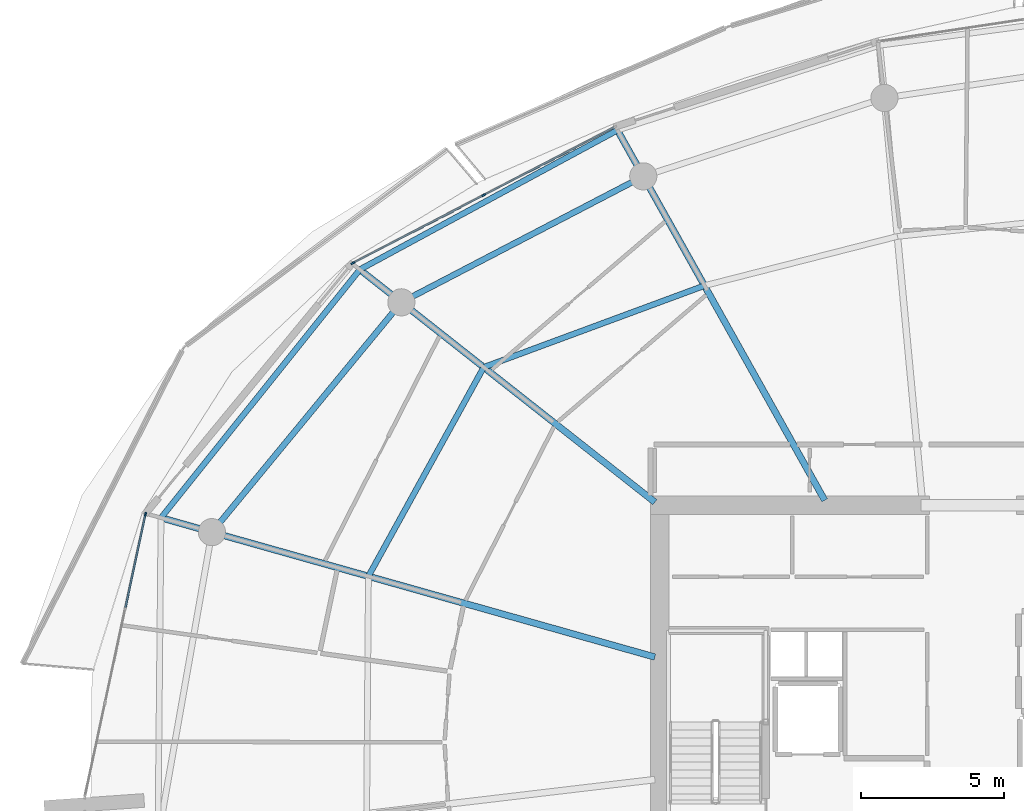
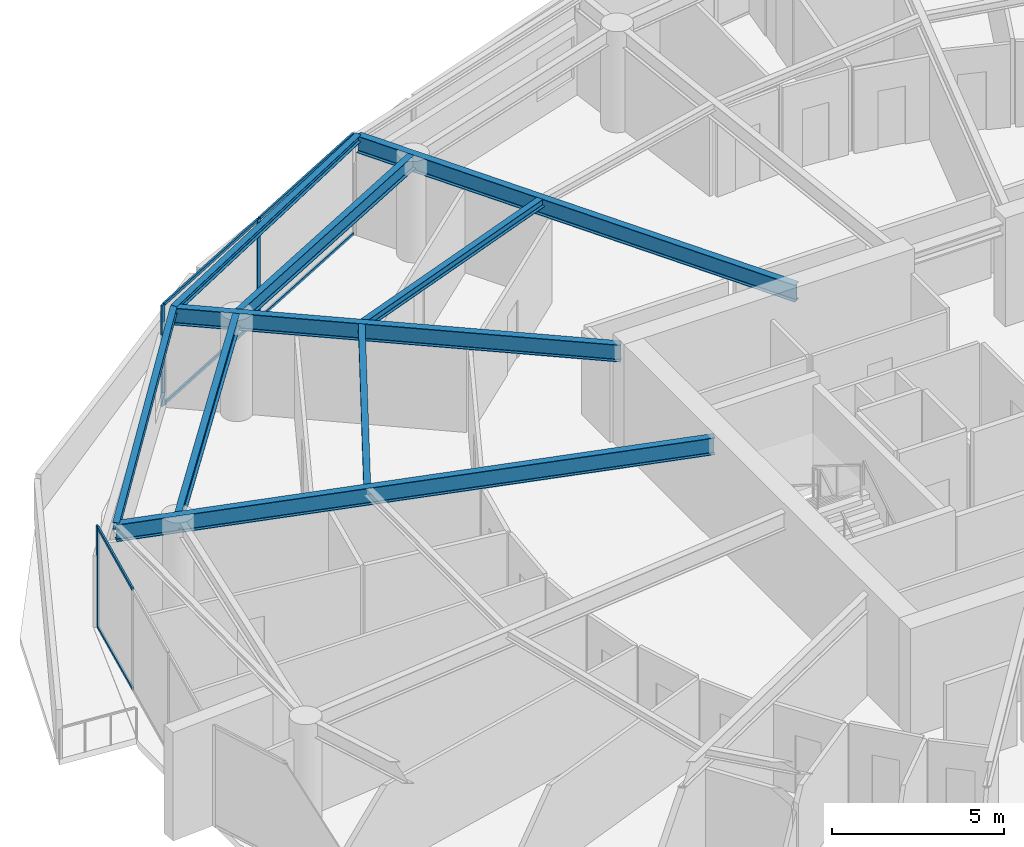
# One storey, part 11 of 30: 9 beams, 9 members, 2 elements without a shape of their own.
"""IFC4 building model written with IfcOpenShell, lengths in metres."""

from ifc_helpers import new_model, si_unit, direction, frame, origin, origin_2d, place, context, subcontext, project, spatial, rectangle, i_section, extrude, material, layer, layer_set, material_profile, profile_set, type_object, element, aggregate, save


model = new_model("IFC4")

# Units and contexts
model_context = context("Model", 3, precision=1e-05, world=origin(), true_north=direction((0.0, 1.0)))
body_context = subcontext(model_context, "Body", "Model", "MODEL_VIEW")
ifc_project = project(units=[si_unit("LENGTHUNIT", "METRE"), si_unit("AREAUNIT", "SQUARE_METRE"), si_unit("VOLUMEUNIT", "CUBIC_METRE"), si_unit("PLANEANGLEUNIT", "RADIAN"), si_unit("MASSUNIT", "GRAM", prefix="KILO")], contexts=[model_context])

# Site, building, storey
site_placement = place(None, origin())
site = spatial("IfcSite", under=ifc_project, at=site_placement, CompositionType="ELEMENT")
building_placement = place(site_placement, origin())
building = spatial("IfcBuilding", under=site, at=building_placement, Name="Kazma Halo Residences", CompositionType="ELEMENT")
storey_placement = place(building_placement, frame((0.0, 0.0, 255.949951171875)))
storey = spatial("IfcBuildingStorey", under=building, at=storey_placement, Name="L64", CompositionType="ELEMENT", Elevation=255.949951171875)

# Beams
ifc_material_1 = material(Name="Steel S355", Category="steel")
ifc_material_profile_1 = material_profile(ifc_material_1, i_section(OverallWidth=0.201904296875, OverallDepth=0.2470703125, WebThickness=0.00732421875, FlangeThickness=0.010986328125, FilletRadius=0.011962890625, at=origin_2d()), Name="W250x49.1")
ifc_profile_set_1 = profile_set([ifc_material_profile_1], Name="Steel S355")
beam_type_1 = type_object("IfcBeamType", Name="BM-BAL-CANT", PredefinedType="BEAM", material=ifc_profile_set_1)
beam_1_placement = place(storey_placement, frame((35.990478515625, 63.444580078125, 3.466552734375), z_axis=(-0.879517282036, -0.475866946321, 0.0), x_axis=(0.475866946321, -0.879517282036, 0.0)))
element("IfcBeam", 1, at=beam_1_placement, inside=storey, type_object=beam_type_1, Name="L64 wave-balcony tie beam 05", PredefinedType="BEAM", context=body_context, shape_type="SweptSolid", body=[
    extrude(i_section(OverallWidth=0.201904296875, OverallDepth=0.2470703125, WebThickness=0.00732421875, FlangeThickness=0.010986328125, FilletRadius=0.011962890625, at=origin_2d()), origin(), (0.0, 0.0, 1.0), 10.243408203125),
])
beam_2_placement = place(storey_placement, frame((26.981201171875, 58.570068359375, 3.466552734375), z_axis=(-0.625117912406, -0.780530329705, 0.0), x_axis=(0.780530329705, -0.625117912406, 0.0)))
element("IfcBeam", 2, at=beam_2_placement, inside=storey, type_object=beam_type_1, Name="L64 wave-balcony tie beam 06", PredefinedType="BEAM", context=body_context, shape_type="SweptSolid", body=[
    extrude(i_section(OverallWidth=0.201904296875, OverallDepth=0.2470703125, WebThickness=0.00732421875, FlangeThickness=0.010986328125, FilletRadius=0.011962890625, at=origin_2d()), origin(), (0.0, 0.0, 1.0), 11.1220703125),
])
ifc_material_profile_2 = material_profile(ifc_material_1, i_section(OverallWidth=0.22802734375, OverallDepth=0.60791015625, WebThickness=0.01123046875, FlangeThickness=0.017333984375, FilletRadius=0.01806640625, at=origin_2d()), Name="W610x113")
ifc_profile_set_2 = profile_set([ifc_material_profile_2], Name="Steel S355")
beam_type_2 = type_object("IfcBeamType", Name="BM-RAD-W610", PredefinedType="BEAM", material=ifc_profile_set_2)
beam_3_placement = place(storey_placement, frame((43.23974609375, 50.5, 3.2861328125), z_axis=(-0.488618902548, 0.872497316943, 0.0), x_axis=(-0.872497316943, -0.488618902548, 0.0)))
element("IfcBeam", 3, at=beam_3_placement, inside=storey, type_object=beam_type_2, Name="L64 radial floor beam 05", PredefinedType="BEAM", context=body_context, shape_type="SweptSolid", body=[
    extrude(i_section(OverallWidth=0.22802734375, OverallDepth=0.60791015625, WebThickness=0.01123046875, FlangeThickness=0.017333984375, FilletRadius=0.01806640625, at=origin_2d()), origin(), (0.0, 0.0, 1.0), 14.836181640625),
])
beam_4_placement = place(storey_placement, frame((37.300048828125, 50.435302734375, 3.2861328125), z_axis=(-0.785315374811, 0.61909592317, 0.0), x_axis=(-0.61909592317, -0.785315374811, 0.0)))
element("IfcBeam", 4, at=beam_4_placement, inside=storey, type_object=beam_type_2, Name="L64 radial floor beam 06", PredefinedType="BEAM", context=body_context, shape_type="SweptSolid", body=[
    extrude(i_section(OverallWidth=0.22802734375, OverallDepth=0.60791015625, WebThickness=0.01123046875, FlangeThickness=0.017333984375, FilletRadius=0.01806640625, at=origin_2d()), origin(), (0.0, 0.0, 1.0), 13.1396484375),
])
beam_5_placement = place(storey_placement, frame((37.300048828125, 45.017578125, 3.2861328125), z_axis=(-0.962451225349, 0.271454671766, 0.0), x_axis=(-0.271454671766, -0.962451225349, 0.0)))
element("IfcBeam", 5, at=beam_5_placement, inside=storey, type_object=beam_type_2, Name="L64 radial floor beam 07", PredefinedType="BEAM", context=body_context, shape_type="SweptSolid", body=[
    extrude(i_section(OverallWidth=0.22802734375, OverallDepth=0.60791015625, WebThickness=0.01123046875, FlangeThickness=0.017333984375, FilletRadius=0.01806640625, at=origin_2d()), origin(), (0.0, 0.0, 1.0), 17.9453125),
])
ifc_material_profile_3 = material_profile(ifc_material_1, i_section(OverallWidth=0.202880859375, OverallDepth=0.302978515625, WebThickness=0.007568359375, FlangeThickness=0.01318359375, FilletRadius=0.013916015625, at=origin_2d()), Name="W310x60")
ifc_profile_set_3 = profile_set([ifc_material_profile_3], Name="Steel S355")
beam_type_3 = type_object("IfcBeamType", Name="BM-SEC-W310A", PredefinedType="JOIST", material=ifc_profile_set_3)
beam_6_placement = place(storey_placement, frame((39.035400390625, 58.0078125, 3.4384765625), z_axis=(-0.937943961726, -0.346786857683, 0.0), x_axis=(0.346786857683, -0.937943961726, 0.0)))
element("IfcBeam", 6, at=beam_6_placement, inside=storey, type_object=beam_type_3, Name="L64 circumferential floor joist 05", PredefinedType="JOIST", context=body_context, shape_type="SweptSolid", body=[
    extrude(i_section(OverallWidth=0.202880859375, OverallDepth=0.302978515625, WebThickness=0.007568359375, FlangeThickness=0.01318359375, FilletRadius=0.013916015625, at=origin_2d()), origin(), (0.0, 0.0, 1.0), 8.231201171875),
])
beam_7_placement = place(storey_placement, frame((31.31494140625, 55.1533203125, 3.4384765625), z_axis=(-0.483003900912, -0.875618199733, 0.0), x_axis=(0.875618199733, -0.483003900912, 0.0)))
element("IfcBeam", 7, at=beam_7_placement, inside=storey, type_object=beam_type_3, Name="L64 circumferential floor joist 06", PredefinedType="JOIST", context=body_context, shape_type="SweptSolid", body=[
    extrude(i_section(OverallWidth=0.202880859375, OverallDepth=0.302978515625, WebThickness=0.007568359375, FlangeThickness=0.01318359375, FilletRadius=0.013916015625, at=origin_2d()), origin(), (0.0, 0.0, 1.0), 8.3486328125),
])
ifc_material_profile_4 = material_profile(ifc_material_1, i_section(OverallWidth=0.208984375, OverallDepth=0.532958984375, WebThickness=0.01025390625, FlangeThickness=0.015625, FilletRadius=0.01611328125, at=origin_2d()), Name="W530x92")
ifc_profile_set_4 = profile_set([ifc_material_profile_4], Name="Steel S355")
beam_type_4 = type_object("IfcBeamType", Name="BM-SPN-W530", PredefinedType="BEAM", material=ifc_profile_set_4)
beam_8_placement = place(storey_placement, frame((36.89453125, 61.830322265625, 3.323486328125), z_axis=(-0.886961047115, -0.461844238788, 0.0), x_axis=(0.461844238788, -0.886961047115, 0.0)))
element("IfcBeam", 8, at=beam_8_placement, inside=storey, type_object=beam_type_4, Name="L64 perimeter ring beam 05", PredefinedType="BEAM", context=body_context, shape_type="SweptSolid", body=[
    extrude(i_section(OverallWidth=0.208984375, OverallDepth=0.532958984375, WebThickness=0.01025390625, FlangeThickness=0.015625, FilletRadius=0.01611328125, at=origin_2d()), origin(), (0.0, 0.0, 1.0), 9.5390625),
])
beam_9_placement = place(storey_placement, frame((28.433837890625, 57.4248046875, 3.323486328125), z_axis=(-0.636002144225, -0.771687289348, 0.0), x_axis=(0.771687289348, -0.636002144225, 0.0)))
element("IfcBeam", 9, at=beam_9_placement, inside=storey, type_object=beam_type_4, Name="L64 perimeter ring beam 06", PredefinedType="BEAM", context=body_context, shape_type="SweptSolid", body=[
    extrude(i_section(OverallWidth=0.208984375, OverallDepth=0.532958984375, WebThickness=0.01025390625, FlangeThickness=0.015625, FilletRadius=0.01611328125, at=origin_2d()), origin(), (0.0, 0.0, 1.0), 10.416259765625),
])

# Curtain wall, members
ifc_material_2 = material(Name="Aluminium AW-6063 T6 and Triple-Silver Low-E Glass", Category="aluminium")
ifc_layer = layer(ifc_material_2, 0.139892578125)
ifc_layer_set = layer_set([ifc_layer], Name="Aluminium AW-6063 T6 and Triple-Silver Low-E Glass")
curtain_wall_type = type_object("IfcCurtainWallType", Name="CW-SYS-5", PredefinedType="NOTDEFINED", material=ifc_layer_set)
curtain_wall_1_placement = place(storey_placement, origin())
curtain_wall_1 = element("IfcCurtainWall", 10, at=curtain_wall_1_placement, inside=storey, type_object=curtain_wall_type, Name="L64 unitised curtain wall B05", PredefinedType="NOTDEFINED")
ifc_material_3 = material(Name="Aluminium AW-6063 T6", Category="aluminium")
ifc_material_profile_5 = material_profile(ifc_material_3, rectangle(XDim=0.06005859375, YDim=0.139892578125, at=origin_2d()), Name="CWM-60x140")
ifc_profile_set_5 = profile_set([ifc_material_profile_5], Name="Aluminium AW-6063 T6")
member_type_1 = type_object("IfcMemberType", Name="CW-SYS-5-MUL", PredefinedType="MULLION", material=ifc_profile_set_5)
member_1_placement = place(storey_placement, frame((31.31591796875, 61.175537109375, 0.0), z_axis=(0.0, 0.0, 1.0), x_axis=(0.460960760804, -0.887420518694, 0.0)))
member_1 = element("IfcMember", 11, at=member_1_placement, type_object=member_type_1, Name="CWS-5 mullion 2", PredefinedType="MULLION", context=body_context, shape_type="SweptSolid", body=[
    extrude(rectangle(XDim=0.06005859375, YDim=0.139892578125, at=origin_2d()), origin(), (0.0, 0.0, 1.0), 3.590087890625),
])
member_2_placement = place(storey_placement, frame((26.737060546875, 58.797119140625, 0.0), z_axis=(0.0, 0.0, 1.0), x_axis=(0.460960760804, -0.887420518694, 0.0)))
member_2 = element("IfcMember", 12, at=member_2_placement, type_object=member_type_1, Name="CWS-5 mullion 3", PredefinedType="MULLION", context=body_context, shape_type="SweptSolid", body=[
    extrude(rectangle(XDim=0.06005859375, YDim=0.139892578125, at=origin_2d()), origin(), (0.0, 0.0, 1.0), 3.590087890625),
])

# Curtain wall, member
curtain_wall_2_placement = place(storey_placement, origin())
curtain_wall_2 = element("IfcCurtainWall", 13, at=curtain_wall_2_placement, inside=storey, type_object=curtain_wall_type, Name="L64 unitised curtain wall B07", PredefinedType="NOTDEFINED")
member_3_placement = place(storey_placement, frame((19.485107421875, 50.010986328125, 0.0), z_axis=(0.0, 0.0, 1.0), x_axis=(0.97777491373, -0.209657382603, 0.0)))
member_3 = element("IfcMember", 14, at=member_3_placement, type_object=member_type_1, Name="CWS-5 mullion 1", PredefinedType="MULLION", context=body_context, shape_type="SweptSolid", body=[
    extrude(rectangle(XDim=0.06005859375, YDim=0.139892578125, at=origin_2d()), origin(), (0.0, 0.0, 1.0), 3.590087890625),
])

# Member
ifc_material_profile_6 = material_profile(ifc_material_3, rectangle(XDim=0.06005859375, YDim=0.10498046875, at=origin_2d()), Name="CWT-60x105")
ifc_profile_set_6 = profile_set([ifc_material_profile_6], Name="Aluminium AW-6063 T6")
member_type_2 = type_object("IfcMemberType", Name="CW-SYS-5-TRN", PredefinedType="USERDEFINED", material=ifc_profile_set_6)
member_4_placement = place(storey_placement, frame((35.8681640625, 63.5400390625, 0.030029296875), z_axis=(-0.887436955863, -0.46092911534, 0.0), x_axis=(0.46092911534, -0.887436955863, 0.0)))
member_4 = element("IfcMember", 15, at=member_4_placement, type_object=member_type_2, Name="CWS-5 transom 1.1", ObjectType="TRANSOM", PredefinedType="USERDEFINED", context=body_context, shape_type="SweptSolid", body=[
    extrude(rectangle(XDim=0.06005859375, YDim=0.10498046875, at=origin_2d()), origin(), (0.0, 0.0, 1.0), 5.099609375),
])

member_5_placement = place(storey_placement, frame((35.8681640625, 63.5400390625, 3.56005859375), z_axis=(-0.887436955863, -0.46092911534, 0.0), x_axis=(0.46092911534, -0.887436955863, 0.0)))
member_5 = element("IfcMember", 16, at=member_5_placement, type_object=member_type_2, Name="CWS-5 transom 1.2", ObjectType="TRANSOM", PredefinedType="USERDEFINED", context=body_context, shape_type="SweptSolid", body=[
    extrude(rectangle(XDim=0.06005859375, YDim=0.10498046875, at=origin_2d()), origin(), (0.0, 0.0, 1.0), 5.099609375),
])

member_6_placement = place(storey_placement, frame((31.289306640625, 61.16162109375, 0.030029296875), z_axis=(-0.887436955863, -0.46092911534, 0.0), x_axis=(0.46092911534, -0.887436955863, 0.0)))
member_6 = element("IfcMember", 17, at=member_6_placement, type_object=member_type_2, Name="CWS-5 transom 2.1", ObjectType="TRANSOM", PredefinedType="USERDEFINED", context=body_context, shape_type="SweptSolid", body=[
    extrude(rectangle(XDim=0.06005859375, YDim=0.10498046875, at=origin_2d()), origin(), (0.0, 0.0, 1.0), 5.099609375),
])

member_7_placement = place(storey_placement, frame((31.289306640625, 61.16162109375, 3.56005859375), z_axis=(-0.887436955863, -0.46092911534, 0.0), x_axis=(0.46092911534, -0.887436955863, 0.0)))
member_7 = element("IfcMember", 18, at=member_7_placement, type_object=member_type_2, Name="CWS-5 transom 2.2", ObjectType="TRANSOM", PredefinedType="USERDEFINED", context=body_context, shape_type="SweptSolid", body=[
    extrude(rectangle(XDim=0.06005859375, YDim=0.10498046875, at=origin_2d()), origin(), (0.0, 0.0, 1.0), 5.099609375),
])

aggregate(curtain_wall_1, [member_1, member_2, member_4, member_5, member_6, member_7])

member_8_placement = place(storey_placement, frame((19.47900390625, 49.9814453125, 0.030029296875), z_axis=(-0.209660493552, -0.977774246666, 0.0), x_axis=(0.977774246666, -0.209660493552, 0.0)))
member_8 = element("IfcMember", 19, at=member_8_placement, type_object=member_type_2, Name="CWS-5 transom 1.1", ObjectType="TRANSOM", PredefinedType="USERDEFINED", context=body_context, shape_type="SweptSolid", body=[
    extrude(rectangle(XDim=0.06005859375, YDim=0.10498046875, at=origin_2d()), origin(), (0.0, 0.0, 1.0), 3.298828125),
])

member_9_placement = place(storey_placement, frame((19.47900390625, 49.9814453125, 3.56005859375), z_axis=(-0.209660493552, -0.977774246666, 0.0), x_axis=(0.977774246666, -0.209660493552, 0.0)))
member_9 = element("IfcMember", 20, at=member_9_placement, type_object=member_type_2, Name="CWS-5 transom 1.2", ObjectType="TRANSOM", PredefinedType="USERDEFINED", context=body_context, shape_type="SweptSolid", body=[
    extrude(rectangle(XDim=0.06005859375, YDim=0.10498046875, at=origin_2d()), origin(), (0.0, 0.0, 1.0), 3.298828125),
])

aggregate(curtain_wall_2, [member_3, member_8, member_9])

save(model, "model.ifc")
